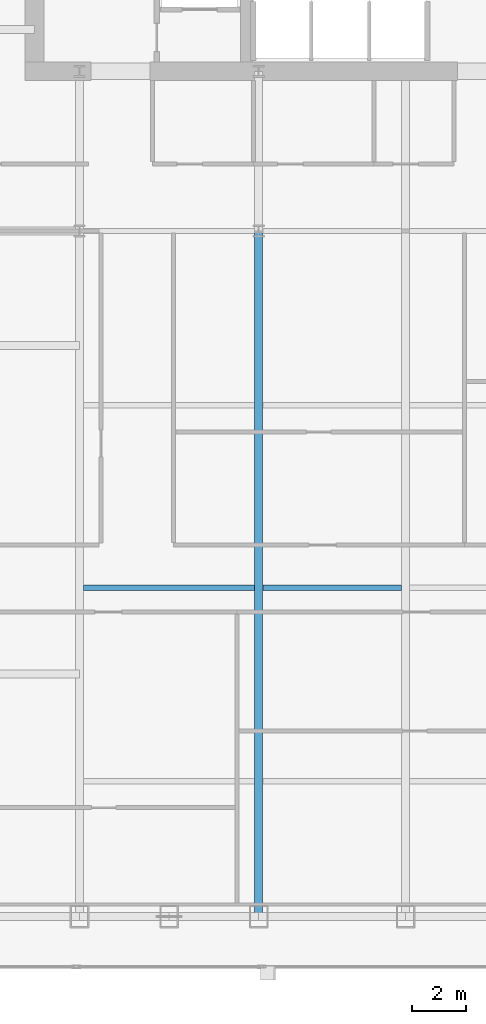
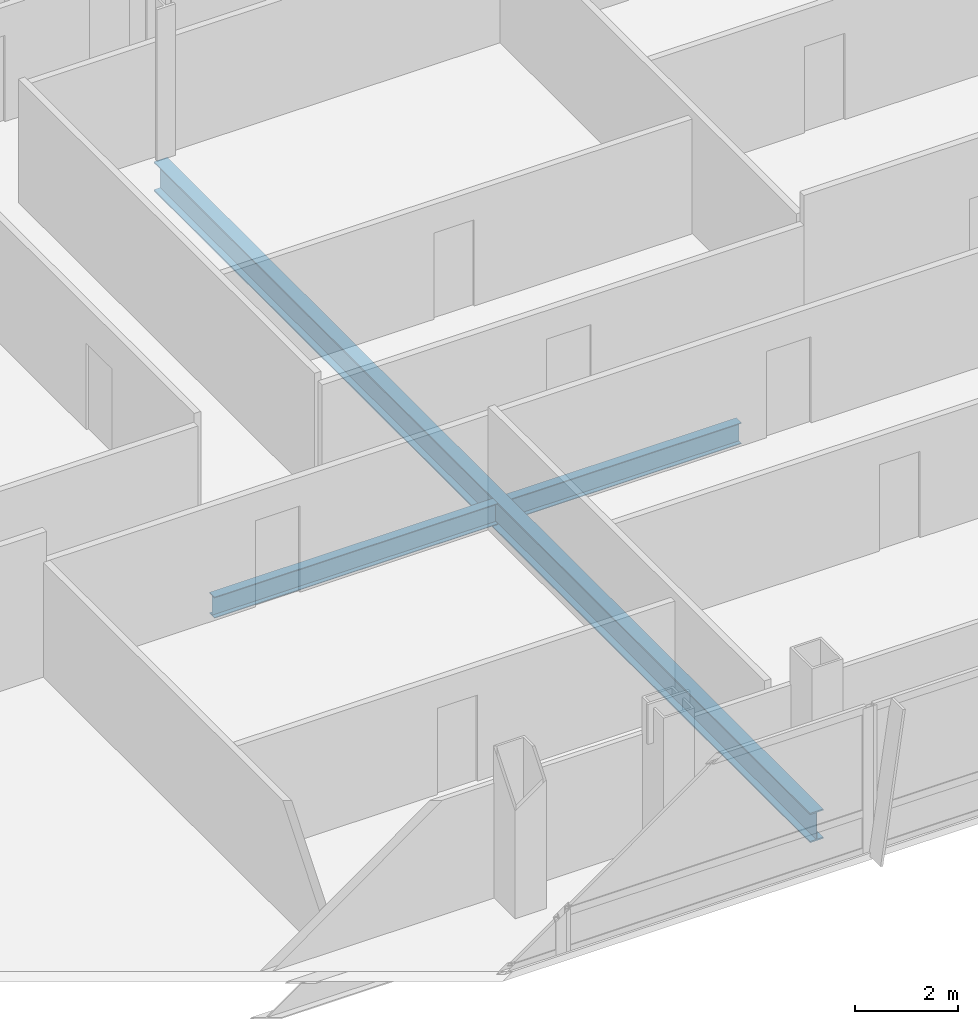
# One storey, part 9 of 29: 3 beams.
"""IFC4 building model written with IfcOpenShell, lengths in metres."""

import ifcopenshell
import ifcopenshell.guid

model = None  # the IFC model being written
_history = None  # IfcOwnerHistory: only IFC2X3 demands one
_inside = {}  # id of a spatial element -> (the spatial element, [elements in it])
_under = {}  # id of a project, library or spatial element -> (it, [spatial elements below it])
_declared = {}  # id of a project -> (the project, [libraries it declares])
_typed = {}  # id of a type object -> (the type object, [elements of that type])
_made_of = {}  # id of a material, layer set ... -> (it, [elements and type objects made of it])


def new_model(schema):
    """Start an empty IFC model of exactly this schema.

    Asked for "IFC4X3", IfcOpenShell would pick the latest addendum, in which some entities
    have other attributes; the version numbers below select the first issue.
    IFC2X3 requires an IfcOwnerHistory on every rooted entity: one is made here for all.
    """
    global model, _history
    if schema == "IFC4X3":
        model = ifcopenshell.file(schema_version=(4, 3, 0, 0))
    else:
        model = ifcopenshell.file(schema=schema)
    _inside.clear()
    _under.clear()
    _declared.clear()
    _typed.clear()
    _made_of.clear()
    _history = None
    if model.schema == "IFC2X3":
        org = make("IfcOrganization", Name="unknown")
        user = make(
            "IfcPersonAndOrganization",
            ThePerson=make("IfcPerson", FamilyName="unknown"),
            TheOrganization=org,
        )
        app = make(
            "IfcApplication",
            ApplicationDeveloper=org,
            Version="unknown",
            ApplicationFullName="unknown",
            ApplicationIdentifier="unknown",
        )
        _history = make(
            "IfcOwnerHistory",
            OwningUser=user,
            OwningApplication=app,
            ChangeAction="ADDED",
            CreationDate=0,
        )
    return model


def make(cls, **values):
    """One entity of the class cls with the attributes given. An attribute that is None is left unset."""
    return model.create_entity(
        cls, **{name: value for name, value in values.items() if value is not None}
    )


def rooted(cls, **values):
    """An entity with a GlobalId (a new one), such as an element, a storey or a relation."""
    return make(cls, GlobalId=ifcopenshell.guid.new(), OwnerHistory=_history, **values)


def si_unit(unit_type, name, prefix=None):
    """IfcSIUnit, for example si_unit("LENGTHUNIT", "METRE", prefix="MILLI")."""
    return make("IfcSIUnit", UnitType=unit_type, Prefix=prefix, Name=name)


def assignment(units):
    """IfcUnitAssignment: the units of a project."""
    return None if units is None else make("IfcUnitAssignment", Units=units)


def point(xyz):
    """IfcCartesianPoint."""
    return None if xyz is None else make("IfcCartesianPoint", Coordinates=xyz)


def direction(xyz):
    """IfcDirection."""
    return None if xyz is None else make("IfcDirection", DirectionRatios=xyz)


def frame(location, z_axis=None, x_axis=None):
    """IfcAxis2Placement3D, a coordinate frame: its origin and axes. An axis left out is left unset."""
    return make(
        "IfcAxis2Placement3D",
        Location=point(location),
        Axis=direction(z_axis),
        RefDirection=direction(x_axis),
    )


def frame_2d(location, x_axis=None):
    """IfcAxis2Placement2D, a coordinate frame in the plane: its origin and x axis."""
    return make(
        "IfcAxis2Placement2D", Location=point(location), RefDirection=direction(x_axis)
    )


def origin():
    """The frame at (0, 0, 0) with its axes left unset."""
    return frame((0.0, 0.0, 0.0))


def origin_2d():
    """The frame at (0, 0) in the plane with its x axis left unset."""
    return frame_2d((0.0, 0.0))


def place(relative_to, where):
    """IfcLocalPlacement: puts the frame where relative to a parent placement (None: the world)."""
    return make(
        "IfcLocalPlacement", PlacementRelTo=relative_to, RelativePlacement=where
    )


def context(
    kind, dimensions, precision=None, world=None, true_north=None, identifier=None
):
    """IfcGeometricRepresentationContext, for example the 3D "Model" context."""
    return make(
        "IfcGeometricRepresentationContext",
        ContextIdentifier=identifier,
        ContextType=kind,
        CoordinateSpaceDimension=dimensions,
        Precision=precision,
        WorldCoordinateSystem=world,
        TrueNorth=true_north,
    )


def subcontext(parent, identifier, kind, view, scale=None):
    """IfcGeometricRepresentationSubContext, for example "Body" below "Model"."""
    return make(
        "IfcGeometricRepresentationSubContext",
        ContextIdentifier=identifier,
        ContextType=kind,
        ParentContext=parent,
        TargetScale=scale,
        TargetView=view,
    )


def project(units=None, contexts=None):
    """IfcProject with its units and contexts."""
    return rooted(
        "IfcProject",
        Name="project",
        RepresentationContexts=contexts,
        UnitsInContext=assignment(units),
    )


def spatial(cls, under=None, at=None, **own):
    """A site, building, storey or space (cls), placed at a placement, below another one or the project."""
    s = rooted(cls, ObjectPlacement=at, **own)
    if under is not None:
        _under.setdefault(under.id(), (under, []))[1].append(s)
    return s


def profile(cls, at=None, kind="AREA", **sizes):
    """A parametric profile (cls). Its sizes go by their IFC names, for example OverallWidth=200.0."""
    return make(cls, ProfileType=kind, Position=at, **sizes)


def i_section(**sizes):
    """IfcIShapeProfileDef."""
    return profile("IfcIShapeProfileDef", **sizes)


def extrude(swept, where, along, depth):
    """IfcExtrudedAreaSolid: the profile swept, set in the frame where, extruded along a direction by depth."""
    return make(
        "IfcExtrudedAreaSolid",
        SweptArea=swept,
        Position=where,
        ExtrudedDirection=direction(along),
        Depth=depth,
    )


def shape(context_of_items, identifier, shape_type, items):
    """IfcShapeRepresentation: the items that make up one representation, for example the "Body"."""
    return make(
        "IfcShapeRepresentation",
        ContextOfItems=context_of_items,
        RepresentationIdentifier=identifier,
        RepresentationType=shape_type,
        Items=items,
    )


def material(Name=None, Category=None):
    """IfcMaterial."""
    return make("IfcMaterial", Name=Name, Category=Category)


def material_profile(
    of_material, cross_section, Name=None, Category=None, Priority=None
):
    """IfcMaterialProfile: a cross section and its material."""
    return make(
        "IfcMaterialProfile",
        Name=Name,
        Material=of_material,
        Profile=cross_section,
        Priority=Priority,
        Category=Category,
    )


def profile_set(profiles, Name=None, composite=None):
    """IfcMaterialProfileSet."""
    return make(
        "IfcMaterialProfileSet",
        Name=Name,
        MaterialProfiles=profiles,
        CompositeProfile=composite,
    )


def made_of(thing, what):
    """Note that an element or type object is made of a material, layer set ...; save() writes the relation."""
    if what is not None:
        _made_of.setdefault(what.id(), (what, []))[1].append(thing)
    return thing


def type_object(cls, material=None, **own):
    """A type object (cls), such as IfcWallType, which elements share."""
    return made_of(rooted(cls, **own), material)


def element(
    cls,
    number,
    at=None,
    inside=None,
    cuts=None,
    type_object=None,
    material=None,
    context=None,
    identifier="Body",
    shape_type=None,
    held_by="IfcProductDefinitionShape",
    body=None,
    shapes=None,
    **own,
):
    """One element of the class cls, such as IfcWall. Its Tag is "e" and its number.

    at: its placement. inside: the storey or other place that contains it. cuts: it is an
    opening in that element (IfcRelVoidsElement). A single representation is given by context,
    identifier, shape_type and body (its items); several are given by shapes. held_by: the class
    of the entity that holds the representations. save() writes the other relations.
    """
    e = rooted(cls, Tag="e%d" % number, ObjectPlacement=at, **own)
    if body is not None:
        shapes = [shape(context, identifier, shape_type, body)]
    if shapes is not None:
        e.Representation = make(held_by, Representations=shapes)
    if inside is not None:
        _inside.setdefault(inside.id(), (inside, []))[1].append(e)
    if cuts is not None:
        rooted(
            "IfcRelVoidsElement", RelatingBuildingElement=cuts, RelatedOpeningElement=e
        )
    if type_object is not None:
        _typed.setdefault(type_object.id(), (type_object, []))[1].append(e)
    return made_of(e, material)


def aggregate(whole, parts):
    """IfcRelAggregates: a whole, such as a stair, and the parts it consists of."""
    return rooted("IfcRelAggregates", RelatingObject=whole, RelatedObjects=parts)


def save(model, path):
    """Write the relations noted so far, then the file.

    IfcRelAggregates (storeys below a building ...), IfcRelContainedInSpatialStructure (elements
    in a storey), IfcRelDefinesByType, IfcRelAssociatesMaterial and IfcRelDeclares: one each for
    every whole, place, type object, material and project.
    """
    for whole, parts in _under.values():
        aggregate(whole, parts)
    for where, things in _inside.values():
        rooted(
            "IfcRelContainedInSpatialStructure",
            RelatedElements=things,
            RelatingStructure=where,
        )
    for kind, things in _typed.values():
        rooted("IfcRelDefinesByType", RelatedObjects=things, RelatingType=kind)
    for what, things in _made_of.values():
        rooted("IfcRelAssociatesMaterial", RelatedObjects=things, RelatingMaterial=what)
    for by, libraries in _declared.values():
        rooted("IfcRelDeclares", RelatingContext=by, RelatedDefinitions=libraries)
    model.write(path)


model = new_model("IFC4")

# Units and contexts
model_context = context("Model", 3, precision=1e-05, world=origin(), true_north=direction((0.0, 1.0)))
body_context = subcontext(model_context, "Body", "Model", "MODEL_VIEW")
ifc_project = project(units=[si_unit("LENGTHUNIT", "METRE"), si_unit("AREAUNIT", "SQUARE_METRE"), si_unit("VOLUMEUNIT", "CUBIC_METRE"), si_unit("PLANEANGLEUNIT", "RADIAN"), si_unit("MASSUNIT", "GRAM", prefix="KILO")], contexts=[model_context])

# Site, building, storey
site_placement = place(None, origin())
site = spatial("IfcSite", under=ifc_project, at=site_placement, CompositionType="ELEMENT")
building_placement = place(site_placement, origin())
building = spatial("IfcBuilding", under=site, at=building_placement, Name="Khoronbel Lancet Exchange", CompositionType="ELEMENT")
storey_placement = place(building_placement, frame((0.0, 0.0, 165.0)))
storey = spatial("IfcBuildingStorey", under=building, at=storey_placement, Name="L41", CompositionType="ELEMENT", Elevation=165.0)

# Beams
ifc_material = material(Name="Steel S355", Category="steel")
ifc_material_profile_1 = material_profile(ifc_material, i_section(OverallWidth=0.300048828125, OverallDepth=0.699951171875, WebThickness=0.01708984375, FlangeThickness=0.031982421875, at=origin_2d()), Name="HEB 700")
ifc_profile_set_1 = profile_set([ifc_material_profile_1], Name="Steel S355")
beam_type_1 = type_object("IfcBeamType", Name="BM-BG3", PredefinedType="BEAM", material=ifc_profile_set_1)
beam_1_placement = place(storey_placement, frame((24.89990234375, 10.14990234375, -0.510009765625), z_axis=(0.0, 1.0, 0.0), x_axis=(-1.0, 0.0, 0.0)))
element("IfcBeam", 1, at=beam_1_placement, inside=storey, type_object=beam_type_1, Name="Level L41 south primary girder GS2", PredefinedType="BEAM", context=body_context, shape_type="SweptSolid", body=[
    extrude(i_section(OverallWidth=0.300048828125, OverallDepth=0.699951171875, WebThickness=0.01708984375, FlangeThickness=0.031982421875, at=origin_2d()), origin(), (0.0, 0.0, 1.0), 25.550048828125),
])
ifc_material_profile_2 = material_profile(ifc_material, i_section(OverallWidth=0.199951171875, OverallDepth=0.5, WebThickness=0.01025390625, FlangeThickness=0.01611328125, at=origin_2d()), Name="IPE 500")
ifc_profile_set_2 = profile_set([ifc_material_profile_2], Name="Steel S355")
beam_type_2 = type_object("IfcBeamType", Name="BM-BJ3", PredefinedType="JOIST", material=ifc_profile_set_2)
beam_2_placement = place(storey_placement, frame((18.375, 22.39990234375, -0.409912109375), z_axis=(1.0, 0.0, 0.0), x_axis=(0.0, 1.0, 0.0)))
element("IfcBeam", 2, at=beam_2_placement, inside=storey, type_object=beam_type_2, Name="Level L41 secondary composite joist J06", PredefinedType="JOIST", context=body_context, shape_type="SweptSolid", body=[
    extrude(i_section(OverallWidth=0.199951171875, OverallDepth=0.5, WebThickness=0.01025390625, FlangeThickness=0.01611328125, at=origin_2d()), origin(), (0.0, 0.0, 1.0), 6.375),
])
beam_3_placement = place(storey_placement, frame((25.050048828125, 22.39990234375, -0.409912109375), z_axis=(1.0, 0.0, 0.0), x_axis=(0.0, 1.0, 0.0)))
element("IfcBeam", 3, at=beam_3_placement, inside=storey, type_object=beam_type_2, Name="Level L41 secondary composite joist J07", PredefinedType="JOIST", context=body_context, shape_type="SweptSolid", body=[
    extrude(i_section(OverallWidth=0.199951171875, OverallDepth=0.5, WebThickness=0.01025390625, FlangeThickness=0.01611328125, at=origin_2d()), origin(), (0.0, 0.0, 1.0), 5.175048828125),
])

save(model, "model.ifc")
